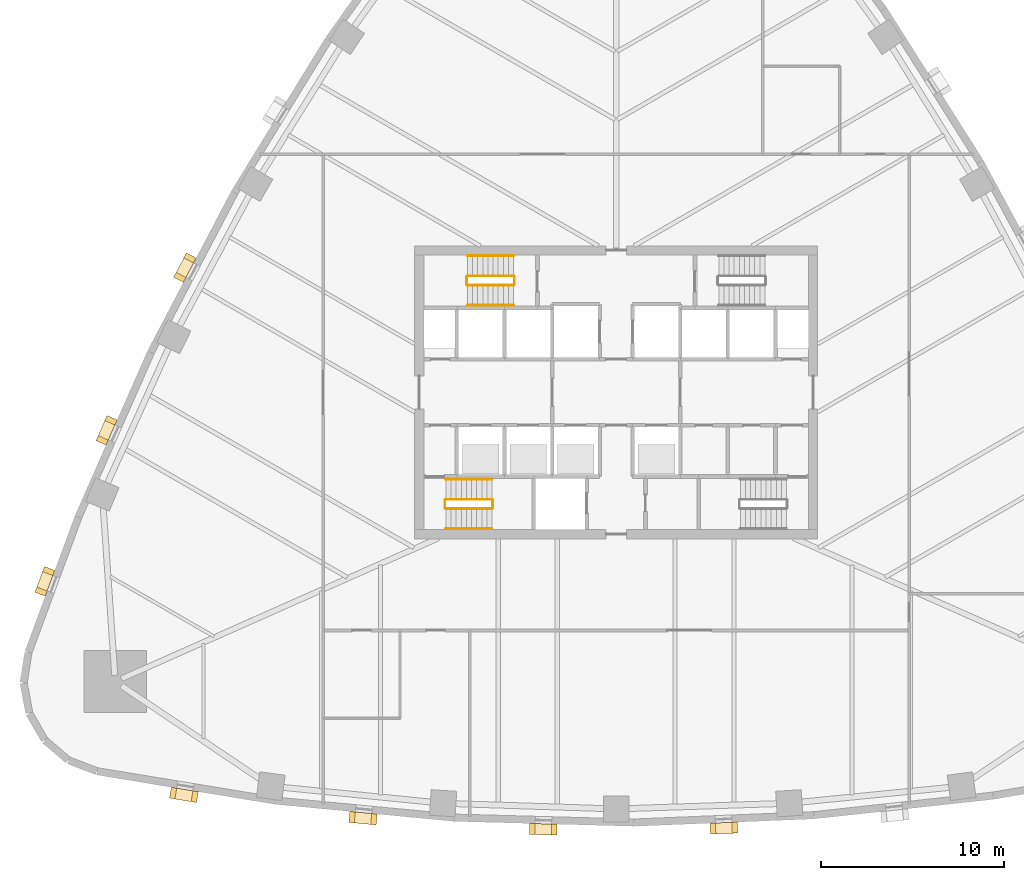
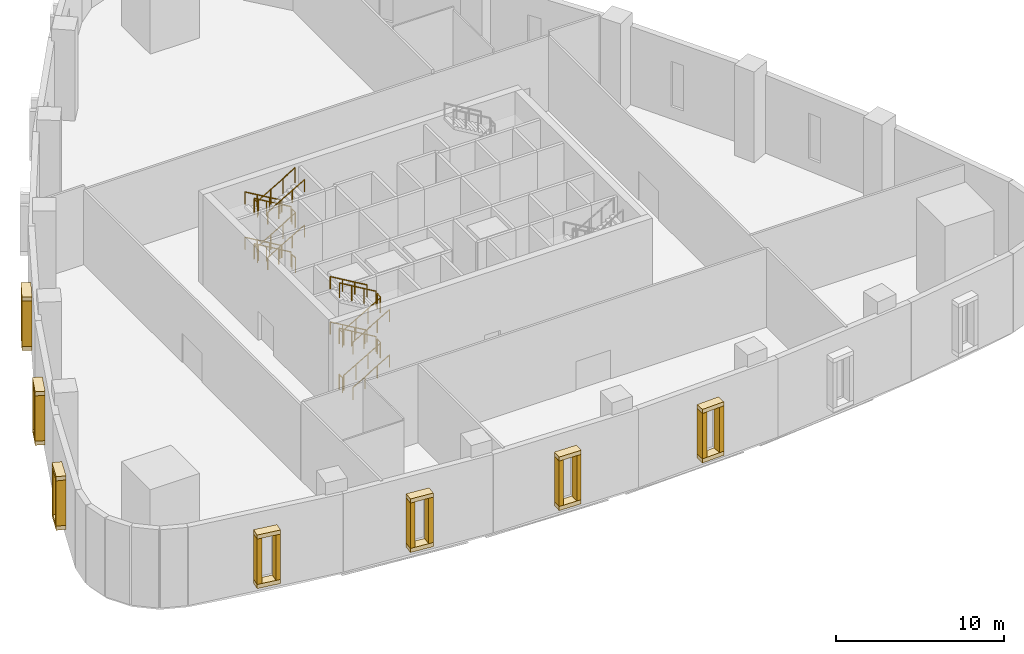
# One storey, part 8 of 11: 28 coverings, 24 railings.
"""IFC4 building model written with IfcOpenShell, lengths in metres."""

from ifc_helpers import new_model, si_unit, direction, frame, origin, origin_2d, place, context, subcontext, project, spatial, rectangle, circle, extrude, material, layer, layer_set, type_object, element, save


model = new_model("IFC4")

# Units and contexts
model_context = context("Model", 3, precision=1e-05, world=origin(), true_north=direction((0.0, 1.0)))
body_context = subcontext(model_context, "Body", "Model", "MODEL_VIEW")
ifc_project = project(units=[si_unit("LENGTHUNIT", "METRE"), si_unit("AREAUNIT", "SQUARE_METRE"), si_unit("VOLUMEUNIT", "CUBIC_METRE"), si_unit("PLANEANGLEUNIT", "RADIAN"), si_unit("MASSUNIT", "GRAM", prefix="KILO")], contexts=[model_context])

# Site, building, storey
site_placement = place(None, origin())
site = spatial("IfcSite", under=ifc_project, at=site_placement, CompositionType="ELEMENT")
building_placement = place(site_placement, origin())
building = spatial("IfcBuilding", under=site, at=building_placement, Name="Sierra Prisma Convention Tower", CompositionType="ELEMENT")
storey_placement = place(building_placement, frame((0.0, 0.0, 22.199951171875)))
storey = spatial("IfcBuildingStorey", under=building, at=storey_placement, Name="L03", CompositionType="ELEMENT", Elevation=22.199951171875)

# Railings
ifc_material_1 = material(Name="Stainless steel", Category="steel")
railing_type_1 = type_object("IfcRailingType", Name="Exit stair handrail", PredefinedType="HANDRAIL", material=ifc_material_1)
railing_1_placement = place(storey_placement, frame((-9.300048828125, -7.449951171875, 0.1650390625)))
element("IfcRailing", 1, at=railing_1_placement, inside=storey, type_object=railing_type_1, Name="L03 S1 stair handrail 1", PredefinedType="HANDRAIL", context=body_context, shape_type="SweptSolid", body=[
    extrude(circle(Radius=0.02392578125, at=origin_2d()), frame((0.0, 0.0, 0.8759765625), z_axis=(0.86152411907, 0.0, 0.507716645641), x_axis=(0.0, 1.0, 0.0)), (0.0, 0.0, 1.0), 2.925048828125),
    extrude(circle(Radius=0.02099609375, at=origin_2d()), origin(), (0.0, 0.0, 1.0), 0.851806640625),
    extrude(circle(Radius=0.02099609375, at=origin_2d()), frame((0.840087890625, 0.0, 0.4951171875)), (0.0, 0.0, 1.0), 0.851806640625),
    extrude(circle(Radius=0.02099609375, at=origin_2d()), frame((1.679931640625, 0.0, 0.989990234375)), (0.0, 0.0, 1.0), 0.851806640625),
    extrude(circle(Radius=0.02099609375, at=origin_2d()), frame((2.52001953125, 0.0, 1.485107421875)), (0.0, 0.0, 1.0), 0.851806640625),
])
railing_2_placement = place(storey_placement, frame((-6.780029296875, -4.75, 1.81494140625)))
element("IfcRailing", 2, at=railing_2_placement, inside=storey, type_object=railing_type_1, Name="L03 S1 stair handrail 2", PredefinedType="HANDRAIL", context=body_context, shape_type="SweptSolid", body=[
    extrude(circle(Radius=0.02392578125, at=origin_2d()), frame((0.0, 0.0, 0.8759765625), z_axis=(-0.86152411907, 0.0, 0.507716645641), x_axis=(0.0, -1.0, 0.0)), (0.0, 0.0, 1.0), 2.925048828125),
    extrude(circle(Radius=0.02099609375, at=origin_2d()), origin(), (0.0, 0.0, 1.0), 0.851806640625),
    extrude(circle(Radius=0.02099609375, at=origin_2d()), frame((-0.840087890625, 0.0, 0.4951171875)), (0.0, 0.0, 1.0), 0.851806640625),
    extrude(circle(Radius=0.02099609375, at=origin_2d()), frame((-1.679931640625, 0.0, 0.989990234375)), (0.0, 0.0, 1.0), 0.851806640625),
    extrude(circle(Radius=0.02099609375, at=origin_2d()), frame((-2.52001953125, 0.0, 1.485107421875)), (0.0, 0.0, 1.0), 0.851806640625),
])
railing_3_placement = place(storey_placement, frame((-9.300048828125, -7.449951171875, 3.465087890625)))
element("IfcRailing", 3, at=railing_3_placement, inside=storey, type_object=railing_type_1, Name="L03 S1 stair handrail 3", PredefinedType="HANDRAIL", context=body_context, shape_type="SweptSolid", body=[
    extrude(circle(Radius=0.02392578125, at=origin_2d()), frame((0.0, 0.0, 0.8759765625), z_axis=(0.861560626758, 0.0, 0.507654692109), x_axis=(0.0, 1.0, 0.0)), (0.0, 0.0, 1.0), 2.925048828125),
    extrude(circle(Radius=0.02099609375, at=origin_2d()), origin(), (0.0, 0.0, 1.0), 0.851806640625),
    extrude(circle(Radius=0.02099609375, at=origin_2d()), frame((0.840087890625, 0.0, 0.494873046875)), (0.0, 0.0, 1.0), 0.851806640625),
    extrude(circle(Radius=0.02099609375, at=origin_2d()), frame((1.679931640625, 0.0, 0.989990234375)), (0.0, 0.0, 1.0), 0.851806640625),
    extrude(circle(Radius=0.02099609375, at=origin_2d()), frame((2.52001953125, 0.0, 1.48486328125)), (0.0, 0.0, 1.0), 0.851806640625),
])
for number, where, name in (
    (4, (-6.780029296875, -4.75, 5.114990234375), "L03 S1 stair handrail 4"),
    (5, (-5.60009765625, 7.449951171875, 0.1650390625), "L03 S3 stair handrail 1"),
):
    element("IfcRailing", number, at=place(storey_placement, frame(where)), inside=storey, type_object=railing_type_1, Name=name, PredefinedType="HANDRAIL", context=body_context, shape_type="SweptSolid", body=[
        extrude(circle(Radius=0.02392578125, at=origin_2d()), frame((0.0, 0.0, 0.8759765625), z_axis=(-0.86152411907, 0.0, 0.507716645641), x_axis=(0.0, -1.0, 0.0)), (0.0, 0.0, 1.0), 2.925048828125),
        extrude(circle(Radius=0.02099609375, at=origin_2d()), origin(), (0.0, 0.0, 1.0), 0.851806640625),
        extrude(circle(Radius=0.02099609375, at=origin_2d()), frame((-0.840087890625, 0.0, 0.4951171875)), (0.0, 0.0, 1.0), 0.851806640625),
        extrude(circle(Radius=0.02099609375, at=origin_2d()), frame((-1.679931640625, 0.0, 0.989990234375)), (0.0, 0.0, 1.0), 0.851806640625),
        extrude(circle(Radius=0.02099609375, at=origin_2d()), frame((-2.52001953125, 0.0, 1.485107421875)), (0.0, 0.0, 1.0), 0.851806640625),
    ])
railing_4_placement = place(storey_placement, frame((-8.1201171875, 4.75, 1.81494140625)))
element("IfcRailing", 6, at=railing_4_placement, inside=storey, type_object=railing_type_1, Name="L03 S3 stair handrail 2", PredefinedType="HANDRAIL", context=body_context, shape_type="SweptSolid", body=[
    extrude(circle(Radius=0.02392578125, at=origin_2d()), frame((0.0, 0.0, 0.8759765625), z_axis=(0.86152411907, 0.0, 0.507716645641), x_axis=(0.0, 1.0, 0.0)), (0.0, 0.0, 1.0), 2.925048828125),
    extrude(circle(Radius=0.02099609375, at=origin_2d()), origin(), (0.0, 0.0, 1.0), 0.851806640625),
    extrude(circle(Radius=0.02099609375, at=origin_2d()), frame((0.840087890625, 0.0, 0.4951171875)), (0.0, 0.0, 1.0), 0.851806640625),
    extrude(circle(Radius=0.02099609375, at=origin_2d()), frame((1.679931640625, 0.0, 0.989990234375)), (0.0, 0.0, 1.0), 0.851806640625),
    extrude(circle(Radius=0.02099609375, at=origin_2d()), frame((2.52001953125, 0.0, 1.485107421875)), (0.0, 0.0, 1.0), 0.851806640625),
])
railing_5_placement = place(storey_placement, frame((-5.60009765625, 7.449951171875, 3.465087890625)))
element("IfcRailing", 7, at=railing_5_placement, inside=storey, type_object=railing_type_1, Name="L03 S3 stair handrail 3", PredefinedType="HANDRAIL", context=body_context, shape_type="SweptSolid", body=[
    extrude(circle(Radius=0.02392578125, at=origin_2d()), frame((0.0, 0.0, 0.8759765625), z_axis=(-0.861560626758, 0.0, 0.507654692109), x_axis=(0.0, -1.0, 0.0)), (0.0, 0.0, 1.0), 2.925048828125),
    extrude(circle(Radius=0.02099609375, at=origin_2d()), origin(), (0.0, 0.0, 1.0), 0.851806640625),
    extrude(circle(Radius=0.02099609375, at=origin_2d()), frame((-0.840087890625, 0.0, 0.494873046875)), (0.0, 0.0, 1.0), 0.851806640625),
    extrude(circle(Radius=0.02099609375, at=origin_2d()), frame((-1.679931640625, 0.0, 0.989990234375)), (0.0, 0.0, 1.0), 0.851806640625),
    extrude(circle(Radius=0.02099609375, at=origin_2d()), frame((-2.52001953125, 0.0, 1.48486328125)), (0.0, 0.0, 1.0), 0.851806640625),
])
railing_6_placement = place(storey_placement, frame((-8.1201171875, 4.75, 5.114990234375)))
element("IfcRailing", 8, at=railing_6_placement, inside=storey, type_object=railing_type_1, Name="L03 S3 stair handrail 4", PredefinedType="HANDRAIL", context=body_context, shape_type="SweptSolid", body=[
    extrude(circle(Radius=0.02392578125, at=origin_2d()), frame((0.0, 0.0, 0.8759765625), z_axis=(0.86152411907, 0.0, 0.507716645641), x_axis=(0.0, 1.0, 0.0)), (0.0, 0.0, 1.0), 2.925048828125),
    extrude(circle(Radius=0.02099609375, at=origin_2d()), origin(), (0.0, 0.0, 1.0), 0.851806640625),
    extrude(circle(Radius=0.02099609375, at=origin_2d()), frame((0.840087890625, 0.0, 0.4951171875)), (0.0, 0.0, 1.0), 0.851806640625),
    extrude(circle(Radius=0.02099609375, at=origin_2d()), frame((1.679931640625, 0.0, 0.989990234375)), (0.0, 0.0, 1.0), 0.851806640625),
    extrude(circle(Radius=0.02099609375, at=origin_2d()), frame((2.52001953125, 0.0, 1.485107421875)), (0.0, 0.0, 1.0), 0.851806640625),
])

# Coverings
ifc_material_2 = material(Name="Lime plaster, terracotta pigment", Category="masonry")
ifc_layer = layer(ifc_material_2, 0.300048828125)
ifc_layer_set = layer_set([ifc_layer], Name="Plaster reveal frame")
covering_type = type_object("IfcCoveringType", Name="Plaster reveal frame", PredefinedType="CLADDING", material=ifc_layer_set)
for number, where, z_axis, x_axis, name in (
    (9, (-23.826904296875, 6.27587890625, 0.89990234375), (0.0, 0.0, 1.0), (0.464253182401, 0.885702536199, 0.0), "Window reveal jamb"),
    (10, (-23.27001953125, 7.3388671875, 0.89990234375), (0.0, 0.0, 1.0), (0.464253182401, 0.885702536199, 0.0), "Window reveal jamb"),
):
    element("IfcCovering", number, at=place(storey_placement, frame(where, z_axis=z_axis, x_axis=x_axis)), inside=storey, type_object=covering_type, Name=name, PredefinedType="CLADDING", context=body_context, shape_type="SweptSolid", body=[
        extrude(rectangle(XDim=0.300048828125, YDim=0.60009765625, at=origin_2d()), origin(), (0.0, 0.0, 1.0), 3.300048828125),
    ])
for number, where, z_axis, x_axis, name in (
    (11, (-23.54833984375, 6.8076171875, 4.2001953125), (0.0, 0.0, 1.0), (0.464253182401, 0.885702536199, 0.0), "Window reveal head"),
    (12, (-23.54833984375, 6.8076171875, 0.60009765625), (0.0, 0.0, 1.0), (0.464253182401, 0.885702536199, 0.0), "Window reveal sill"),
):
    element("IfcCovering", number, at=place(storey_placement, frame(where, z_axis=z_axis, x_axis=x_axis)), inside=storey, type_object=covering_type, Name=name, PredefinedType="CLADDING", context=body_context, shape_type="SweptSolid", body=[
        extrude(rectangle(XDim=1.5, YDim=0.60009765625, at=origin_2d()), origin(), (0.0, 0.0, 1.0), 0.300048828125),
    ])
for number, where, z_axis, x_axis, name in (
    (13, (-28.07080078125, -2.624755859375, 0.89990234375), (0.0, 0.0, 1.0), (0.402986304039, 0.915206008917, 0.0), "Window reveal jamb"),
    (14, (-27.587158203125, -1.526611328125, 0.89990234375), (0.0, 0.0, 1.0), (0.402986304039, 0.915206008917, 0.0), "Window reveal jamb"),
):
    element("IfcCovering", number, at=place(storey_placement, frame(where, z_axis=z_axis, x_axis=x_axis)), inside=storey, type_object=covering_type, Name=name, PredefinedType="CLADDING", context=body_context, shape_type="SweptSolid", body=[
        extrude(rectangle(XDim=0.300048828125, YDim=0.60009765625, at=origin_2d()), origin(), (0.0, 0.0, 1.0), 3.300048828125),
    ])
for number, where, z_axis, x_axis, name in (
    (15, (-27.8291015625, -2.07568359375, 4.2001953125), (0.0, 0.0, 1.0), (0.402986304039, 0.915206008917, 0.0), "Window reveal head"),
    (16, (-27.8291015625, -2.07568359375, 0.60009765625), (0.0, 0.0, 1.0), (0.402986304039, 0.915206008917, 0.0), "Window reveal sill"),
):
    element("IfcCovering", number, at=place(storey_placement, frame(where, z_axis=z_axis, x_axis=x_axis)), inside=storey, type_object=covering_type, Name=name, PredefinedType="CLADDING", context=body_context, shape_type="SweptSolid", body=[
        extrude(rectangle(XDim=1.5, YDim=0.60009765625, at=origin_2d()), origin(), (0.0, 0.0, 1.0), 0.300048828125),
    ])
for number, where, z_axis, x_axis, name in (
    (17, (-31.403564453125, -10.883544921875, 0.89990234375), (0.0, 0.0, 1.0), (0.346215302346, 0.938155085485, 0.0), "Window reveal jamb"),
    (18, (-30.988037109375, -9.7578125, 0.89990234375), (0.0, 0.0, 1.0), (0.346215302346, 0.938155085485, 0.0), "Window reveal jamb"),
):
    element("IfcCovering", number, at=place(storey_placement, frame(where, z_axis=z_axis, x_axis=x_axis)), inside=storey, type_object=covering_type, Name=name, PredefinedType="CLADDING", context=body_context, shape_type="SweptSolid", body=[
        extrude(rectangle(XDim=0.300048828125, YDim=0.60009765625, at=origin_2d()), origin(), (0.0, 0.0, 1.0), 3.300048828125),
    ])
for number, where, z_axis, x_axis, name in (
    (19, (-31.19580078125, -10.32080078125, 4.2001953125), (0.0, 0.0, 1.0), (0.346215302346, 0.938155085485, 0.0), "Window reveal head"),
    (20, (-31.19580078125, -10.32080078125, 0.60009765625), (0.0, 0.0, 1.0), (0.346215302346, 0.938155085485, 0.0), "Window reveal sill"),
):
    element("IfcCovering", number, at=place(storey_placement, frame(where, z_axis=z_axis, x_axis=x_axis)), inside=storey, type_object=covering_type, Name=name, PredefinedType="CLADDING", context=body_context, shape_type="SweptSolid", body=[
        extrude(rectangle(XDim=1.5, YDim=0.60009765625, at=origin_2d()), origin(), (0.0, 0.0, 1.0), 0.300048828125),
    ])
for number, where, z_axis, x_axis, name in (
    (21, (-23.010009765625, -22.080078125, 0.89990234375), (0.0, 0.0, 1.0), (-0.986701835398, 0.162540727275, 0.0), "Window reveal jamb"),
    (22, (-24.194091796875, -21.885009765625, 0.89990234375), (0.0, 0.0, 1.0), (-0.986701835398, 0.162540727275, 0.0), "Window reveal jamb"),
):
    element("IfcCovering", number, at=place(storey_placement, frame(where, z_axis=z_axis, x_axis=x_axis)), inside=storey, type_object=covering_type, Name=name, PredefinedType="CLADDING", context=body_context, shape_type="SweptSolid", body=[
        extrude(rectangle(XDim=0.300048828125, YDim=0.60009765625, at=origin_2d()), origin(), (0.0, 0.0, 1.0), 3.300048828125),
    ])
for number, where, z_axis, x_axis, name in (
    (23, (-23.60205078125, -21.982666015625, 4.2001953125), (0.0, 0.0, 1.0), (-0.986701835398, 0.162540727275, 0.0), "Window reveal head"),
    (24, (-23.60205078125, -21.982666015625, 0.60009765625), (0.0, 0.0, 1.0), (-0.986701835398, 0.162540727275, 0.0), "Window reveal sill"),
):
    element("IfcCovering", number, at=place(storey_placement, frame(where, z_axis=z_axis, x_axis=x_axis)), inside=storey, type_object=covering_type, Name=name, PredefinedType="CLADDING", context=body_context, shape_type="SweptSolid", body=[
        extrude(rectangle(XDim=1.5, YDim=0.60009765625, at=origin_2d()), origin(), (0.0, 0.0, 1.0), 0.300048828125),
    ])
for number, where, z_axis, x_axis, name in (
    (25, (-13.2265625, -23.31298828125, 0.89990234375), (0.0, 0.0, 1.0), (-0.99547017287, 0.095074365238, 0.0), "Window reveal jamb"),
    (26, (-14.421142578125, -23.198974609375, 0.89990234375), (0.0, 0.0, 1.0), (-0.99547017287, 0.095074365238, 0.0), "Window reveal jamb"),
):
    element("IfcCovering", number, at=place(storey_placement, frame(where, z_axis=z_axis, x_axis=x_axis)), inside=storey, type_object=covering_type, Name=name, PredefinedType="CLADDING", context=body_context, shape_type="SweptSolid", body=[
        extrude(rectangle(XDim=0.300048828125, YDim=0.60009765625, at=origin_2d()), origin(), (0.0, 0.0, 1.0), 3.300048828125),
    ])
for number, where, z_axis, x_axis, name in (
    (27, (-13.82373046875, -23.256103515625, 4.2001953125), (0.0, 0.0, 1.0), (-0.99547017287, 0.095074365238, 0.0), "Window reveal head"),
    (28, (-13.82373046875, -23.256103515625, 0.60009765625), (0.0, 0.0, 1.0), (-0.99547017287, 0.095074365238, 0.0), "Window reveal sill"),
):
    element("IfcCovering", number, at=place(storey_placement, frame(where, z_axis=z_axis, x_axis=x_axis)), inside=storey, type_object=covering_type, Name=name, PredefinedType="CLADDING", context=body_context, shape_type="SweptSolid", body=[
        extrude(rectangle(XDim=1.5, YDim=0.60009765625, at=origin_2d()), origin(), (0.0, 0.0, 1.0), 0.300048828125),
    ])
for number, where, z_axis, x_axis, name in (
    (29, (-3.382080078125, -23.878173828125, 0.89990234375), (0.0, 0.0, 1.0), (-0.999629934375, 0.027202836272, 0.0), "Window reveal jamb"),
    (30, (-4.58154296875, -23.845458984375, 0.89990234375), (0.0, 0.0, 1.0), (-0.999629934375, 0.027202836272, 0.0), "Window reveal jamb"),
):
    element("IfcCovering", number, at=place(storey_placement, frame(where, z_axis=z_axis, x_axis=x_axis)), inside=storey, type_object=covering_type, Name=name, PredefinedType="CLADDING", context=body_context, shape_type="SweptSolid", body=[
        extrude(rectangle(XDim=0.300048828125, YDim=0.60009765625, at=origin_2d()), origin(), (0.0, 0.0, 1.0), 3.300048828125),
    ])
for number, where, z_axis, x_axis, name in (
    (31, (-3.981689453125, -23.86181640625, 4.2001953125), (0.0, 0.0, 1.0), (-0.999629934375, 0.027202836272, 0.0), "Window reveal head"),
    (32, (-3.981689453125, -23.86181640625, 0.60009765625), (0.0, 0.0, 1.0), (-0.999629934375, 0.027202836272, 0.0), "Window reveal sill"),
):
    element("IfcCovering", number, at=place(storey_placement, frame(where, z_axis=z_axis, x_axis=x_axis)), inside=storey, type_object=covering_type, Name=name, PredefinedType="CLADDING", context=body_context, shape_type="SweptSolid", body=[
        extrude(rectangle(XDim=1.5, YDim=0.60009765625, at=origin_2d()), origin(), (0.0, 0.0, 1.0), 0.300048828125),
    ])
for number, where, z_axis, x_axis, name in (
    (33, (6.478271484375, -23.772705078125, 0.89990234375), (0.0, 0.0, 1.0), (-0.999167487746, -0.040796218352, 0.0), "Window reveal jamb"),
    (34, (5.279296875, -23.82177734375, 0.89990234375), (0.0, 0.0, 1.0), (-0.999167487746, -0.040796218352, 0.0), "Window reveal jamb"),
):
    element("IfcCovering", number, at=place(storey_placement, frame(where, z_axis=z_axis, x_axis=x_axis)), inside=storey, type_object=covering_type, Name=name, PredefinedType="CLADDING", context=body_context, shape_type="SweptSolid", body=[
        extrude(rectangle(XDim=0.300048828125, YDim=0.60009765625, at=origin_2d()), origin(), (0.0, 0.0, 1.0), 3.300048828125),
    ])
for number, where, z_axis, x_axis, name in (
    (35, (5.87890625, -23.79736328125, 4.2001953125), (0.0, 0.0, 1.0), (-0.999167487746, -0.040796218352, 0.0), "Window reveal head"),
    (36, (5.87890625, -23.79736328125, 0.60009765625), (0.0, 0.0, 1.0), (-0.999167487746, -0.040796218352, 0.0), "Window reveal sill"),
):
    element("IfcCovering", number, at=place(storey_placement, frame(where, z_axis=z_axis, x_axis=x_axis)), inside=storey, type_object=covering_type, Name=name, PredefinedType="CLADDING", context=body_context, shape_type="SweptSolid", body=[
        extrude(rectangle(XDim=1.5, YDim=0.60009765625, at=origin_2d()), origin(), (0.0, 0.0, 1.0), 0.300048828125),
    ])

# Railings
ifc_material_3 = material(Name="Stainless steel", Category="steel")
railing_type_2 = type_object("IfcRailingType", Name="Stair guard 1100", PredefinedType="GUARDRAIL", material=ifc_material_3)
railing_7_placement = place(storey_placement, frame((-9.300048828125, -6.35009765625, 0.1650390625)))
element("IfcRailing", 37, at=railing_7_placement, inside=storey, type_object=railing_type_2, Name="L03 S1 stair guard 1", PredefinedType="GUARDRAIL", context=body_context, shape_type="SweptSolid", body=[
    extrude(circle(Radius=0.02392578125, at=origin_2d()), frame((0.0, 0.0, 1.076171875), z_axis=(0.86152411907, 0.0, 0.507716645641), x_axis=(0.0, 1.0, 0.0)), (0.0, 0.0, 1.0), 2.925048828125),
    extrude(circle(Radius=0.02099609375, at=origin_2d()), origin(), (0.0, 0.0, 1.0), 1.052001953125),
    extrude(circle(Radius=0.02099609375, at=origin_2d()), frame((0.840087890625, 0.0, 0.4951171875)), (0.0, 0.0, 1.0), 1.052001953125),
    extrude(circle(Radius=0.02099609375, at=origin_2d()), frame((1.679931640625, 0.0, 0.989990234375)), (0.0, 0.0, 1.0), 1.052001953125),
    extrude(circle(Radius=0.02099609375, at=origin_2d()), frame((2.52001953125, 0.0, 1.485107421875)), (0.0, 0.0, 1.0), 1.052001953125),
])
railing_8_placement = place(storey_placement, frame((-6.72998046875, -6.300048828125, 1.650146484375)))
element("IfcRailing", 38, at=railing_8_placement, inside=storey, type_object=railing_type_2, Name="L03 S1 stair guard 2", PredefinedType="GUARDRAIL", context=body_context, shape_type="SweptSolid", body=[
    extrude(circle(Radius=0.02392578125, at=origin_2d()), frame((0.0, 0.0, 1.076171875), z_axis=(0.0, 1.0, 0.0), x_axis=(-1.0, 0.0, 0.0)), (0.0, 0.0, 1.0), 0.400146484375),
    extrude(circle(Radius=0.02099609375, at=origin_2d()), origin(), (0.0, 0.0, 1.0), 1.052001953125),
    extrude(circle(Radius=0.02099609375, at=origin_2d()), frame((0.0, 0.400146484375, 0.0)), (0.0, 0.0, 1.0), 1.052001953125),
])
railing_9_placement = place(storey_placement, frame((-6.780029296875, -5.85009765625, 1.81494140625)))
element("IfcRailing", 39, at=railing_9_placement, inside=storey, type_object=railing_type_2, Name="L03 S1 stair guard 3", PredefinedType="GUARDRAIL", context=body_context, shape_type="SweptSolid", body=[
    extrude(circle(Radius=0.02392578125, at=origin_2d()), frame((0.0, 0.0, 1.076171875), z_axis=(-0.86152411907, 0.0, 0.507716645641), x_axis=(0.0, -1.0, 0.0)), (0.0, 0.0, 1.0), 2.925048828125),
    extrude(circle(Radius=0.02099609375, at=origin_2d()), origin(), (0.0, 0.0, 1.0), 1.052001953125),
    extrude(circle(Radius=0.02099609375, at=origin_2d()), frame((-0.840087890625, 0.0, 0.4951171875)), (0.0, 0.0, 1.0), 1.052001953125),
    extrude(circle(Radius=0.02099609375, at=origin_2d()), frame((-1.679931640625, 0.0, 0.989990234375)), (0.0, 0.0, 1.0), 1.052001953125),
    extrude(circle(Radius=0.02099609375, at=origin_2d()), frame((-2.52001953125, 0.0, 1.485107421875)), (0.0, 0.0, 1.0), 1.052001953125),
])
railing_10_placement = place(storey_placement, frame((-9.35009765625, -6.300048828125, 3.300048828125)))
element("IfcRailing", 40, at=railing_10_placement, inside=storey, type_object=railing_type_2, Name="L03 S1 stair guard 4", PredefinedType="GUARDRAIL", context=body_context, shape_type="SweptSolid", body=[
    extrude(circle(Radius=0.02392578125, at=origin_2d()), frame((0.0, 0.0, 1.076171875), z_axis=(0.0, 1.0, 0.0), x_axis=(-1.0, 0.0, 0.0)), (0.0, 0.0, 1.0), 0.400146484375),
    extrude(circle(Radius=0.02099609375, at=origin_2d()), origin(), (0.0, 0.0, 1.0), 1.052001953125),
    extrude(circle(Radius=0.02099609375, at=origin_2d()), frame((0.0, 0.400146484375, 0.0)), (0.0, 0.0, 1.0), 1.052001953125),
])
railing_11_placement = place(storey_placement, frame((-9.300048828125, -6.35009765625, 3.465087890625)))
element("IfcRailing", 41, at=railing_11_placement, inside=storey, type_object=railing_type_2, Name="L03 S1 stair guard 5", PredefinedType="GUARDRAIL", context=body_context, shape_type="SweptSolid", body=[
    extrude(circle(Radius=0.02392578125, at=origin_2d()), frame((0.0, 0.0, 1.076171875), z_axis=(0.861560626758, 0.0, 0.507654692109), x_axis=(0.0, 1.0, 0.0)), (0.0, 0.0, 1.0), 2.925048828125),
    extrude(circle(Radius=0.02099609375, at=origin_2d()), origin(), (0.0, 0.0, 1.0), 1.052001953125),
    extrude(circle(Radius=0.02099609375, at=origin_2d()), frame((0.840087890625, 0.0, 0.494873046875)), (0.0, 0.0, 1.0), 1.052001953125),
    extrude(circle(Radius=0.02099609375, at=origin_2d()), frame((1.679931640625, 0.0, 0.989990234375)), (0.0, 0.0, 1.0), 1.052001953125),
    extrude(circle(Radius=0.02099609375, at=origin_2d()), frame((2.52001953125, 0.0, 1.48486328125)), (0.0, 0.0, 1.0), 1.052001953125),
])
railing_12_placement = place(storey_placement, frame((-6.72998046875, -6.300048828125, 4.949951171875)))
element("IfcRailing", 42, at=railing_12_placement, inside=storey, type_object=railing_type_2, Name="L03 S1 stair guard 6", PredefinedType="GUARDRAIL", context=body_context, shape_type="SweptSolid", body=[
    extrude(circle(Radius=0.02392578125, at=origin_2d()), frame((0.0, 0.0, 1.076171875), z_axis=(0.0, 1.0, 0.0), x_axis=(-1.0, 0.0, 0.0)), (0.0, 0.0, 1.0), 0.400146484375),
    extrude(circle(Radius=0.02099609375, at=origin_2d()), origin(), (0.0, 0.0, 1.0), 1.052001953125),
    extrude(circle(Radius=0.02099609375, at=origin_2d()), frame((0.0, 0.400146484375, 0.0)), (0.0, 0.0, 1.0), 1.052001953125),
])
railing_13_placement = place(storey_placement, frame((-6.780029296875, -5.85009765625, 5.114990234375)))
element("IfcRailing", 43, at=railing_13_placement, inside=storey, type_object=railing_type_2, Name="L03 S1 stair guard 7", PredefinedType="GUARDRAIL", context=body_context, shape_type="SweptSolid", body=[
    extrude(circle(Radius=0.02392578125, at=origin_2d()), frame((0.0, 0.0, 1.076171875), z_axis=(-0.86152411907, 0.0, 0.507716645641), x_axis=(0.0, -1.0, 0.0)), (0.0, 0.0, 1.0), 2.925048828125),
    extrude(circle(Radius=0.02099609375, at=origin_2d()), origin(), (0.0, 0.0, 1.0), 1.052001953125),
    extrude(circle(Radius=0.02099609375, at=origin_2d()), frame((-0.840087890625, 0.0, 0.4951171875)), (0.0, 0.0, 1.0), 1.052001953125),
    extrude(circle(Radius=0.02099609375, at=origin_2d()), frame((-1.679931640625, 0.0, 0.989990234375)), (0.0, 0.0, 1.0), 1.052001953125),
    extrude(circle(Radius=0.02099609375, at=origin_2d()), frame((-2.52001953125, 0.0, 1.485107421875)), (0.0, 0.0, 1.0), 1.052001953125),
])
railing_14_placement = place(storey_placement, frame((-9.35009765625, -6.300048828125, 0.0)))
element("IfcRailing", 44, at=railing_14_placement, inside=storey, type_object=railing_type_2, Name="L03 S1 stair guard 8", PredefinedType="GUARDRAIL", context=body_context, shape_type="SweptSolid", body=[
    extrude(circle(Radius=0.02392578125, at=origin_2d()), frame((0.0, 0.0, 1.076171875), z_axis=(0.0, 1.0, 0.0), x_axis=(-1.0, 0.0, 0.0)), (0.0, 0.0, 1.0), 0.400146484375),
    extrude(circle(Radius=0.02099609375, at=origin_2d()), origin(), (0.0, 0.0, 1.0), 1.052001953125),
    extrude(circle(Radius=0.02099609375, at=origin_2d()), frame((0.0, 0.400146484375, 0.0)), (0.0, 0.0, 1.0), 1.052001953125),
])
railing_15_placement = place(storey_placement, frame((-5.60009765625, 6.35009765625, 0.1650390625)))
element("IfcRailing", 45, at=railing_15_placement, inside=storey, type_object=railing_type_2, Name="L03 S3 stair guard 1", PredefinedType="GUARDRAIL", context=body_context, shape_type="SweptSolid", body=[
    extrude(circle(Radius=0.02392578125, at=origin_2d()), frame((0.0, 0.0, 1.076171875), z_axis=(-0.86152411907, 0.0, 0.507716645641), x_axis=(0.0, -1.0, 0.0)), (0.0, 0.0, 1.0), 2.925048828125),
    extrude(circle(Radius=0.02099609375, at=origin_2d()), origin(), (0.0, 0.0, 1.0), 1.052001953125),
    extrude(circle(Radius=0.02099609375, at=origin_2d()), frame((-0.840087890625, 0.0, 0.4951171875)), (0.0, 0.0, 1.0), 1.052001953125),
    extrude(circle(Radius=0.02099609375, at=origin_2d()), frame((-1.679931640625, 0.0, 0.989990234375)), (0.0, 0.0, 1.0), 1.052001953125),
    extrude(circle(Radius=0.02099609375, at=origin_2d()), frame((-2.52001953125, 0.0, 1.485107421875)), (0.0, 0.0, 1.0), 1.052001953125),
])
railing_16_placement = place(storey_placement, frame((-8.169921875, 6.300048828125, 1.650146484375)))
element("IfcRailing", 46, at=railing_16_placement, inside=storey, type_object=railing_type_2, Name="L03 S3 stair guard 2", PredefinedType="GUARDRAIL", context=body_context, shape_type="SweptSolid", body=[
    extrude(circle(Radius=0.02392578125, at=origin_2d()), frame((0.0, 0.0, 1.076171875), z_axis=(0.0, -1.0, 0.0), x_axis=(1.0, 0.0, 0.0)), (0.0, 0.0, 1.0), 0.400146484375),
    extrude(circle(Radius=0.02099609375, at=origin_2d()), origin(), (0.0, 0.0, 1.0), 1.052001953125),
    extrude(circle(Radius=0.02099609375, at=origin_2d()), frame((0.0, -0.400146484375, 0.0)), (0.0, 0.0, 1.0), 1.052001953125),
])
railing_17_placement = place(storey_placement, frame((-8.1201171875, 5.85009765625, 1.81494140625)))
element("IfcRailing", 47, at=railing_17_placement, inside=storey, type_object=railing_type_2, Name="L03 S3 stair guard 3", PredefinedType="GUARDRAIL", context=body_context, shape_type="SweptSolid", body=[
    extrude(circle(Radius=0.02392578125, at=origin_2d()), frame((0.0, 0.0, 1.076171875), z_axis=(0.86152411907, 0.0, 0.507716645641), x_axis=(0.0, 1.0, 0.0)), (0.0, 0.0, 1.0), 2.925048828125),
    extrude(circle(Radius=0.02099609375, at=origin_2d()), origin(), (0.0, 0.0, 1.0), 1.052001953125),
    extrude(circle(Radius=0.02099609375, at=origin_2d()), frame((0.840087890625, 0.0, 0.4951171875)), (0.0, 0.0, 1.0), 1.052001953125),
    extrude(circle(Radius=0.02099609375, at=origin_2d()), frame((1.679931640625, 0.0, 0.989990234375)), (0.0, 0.0, 1.0), 1.052001953125),
    extrude(circle(Radius=0.02099609375, at=origin_2d()), frame((2.52001953125, 0.0, 1.485107421875)), (0.0, 0.0, 1.0), 1.052001953125),
])
railing_18_placement = place(storey_placement, frame((-5.550048828125, 6.300048828125, 3.300048828125)))
element("IfcRailing", 48, at=railing_18_placement, inside=storey, type_object=railing_type_2, Name="L03 S3 stair guard 4", PredefinedType="GUARDRAIL", context=body_context, shape_type="SweptSolid", body=[
    extrude(circle(Radius=0.02392578125, at=origin_2d()), frame((0.0, 0.0, 1.076171875), z_axis=(0.0, -1.0, 0.0), x_axis=(1.0, 0.0, 0.0)), (0.0, 0.0, 1.0), 0.400146484375),
    extrude(circle(Radius=0.02099609375, at=origin_2d()), origin(), (0.0, 0.0, 1.0), 1.052001953125),
    extrude(circle(Radius=0.02099609375, at=origin_2d()), frame((0.0, -0.400146484375, 0.0)), (0.0, 0.0, 1.0), 1.052001953125),
])
railing_19_placement = place(storey_placement, frame((-5.60009765625, 6.35009765625, 3.465087890625)))
element("IfcRailing", 49, at=railing_19_placement, inside=storey, type_object=railing_type_2, Name="L03 S3 stair guard 5", PredefinedType="GUARDRAIL", context=body_context, shape_type="SweptSolid", body=[
    extrude(circle(Radius=0.02392578125, at=origin_2d()), frame((0.0, 0.0, 1.076171875), z_axis=(-0.861560626758, 0.0, 0.507654692109), x_axis=(0.0, -1.0, 0.0)), (0.0, 0.0, 1.0), 2.925048828125),
    extrude(circle(Radius=0.02099609375, at=origin_2d()), origin(), (0.0, 0.0, 1.0), 1.052001953125),
    extrude(circle(Radius=0.02099609375, at=origin_2d()), frame((-0.840087890625, 0.0, 0.494873046875)), (0.0, 0.0, 1.0), 1.052001953125),
    extrude(circle(Radius=0.02099609375, at=origin_2d()), frame((-1.679931640625, 0.0, 0.989990234375)), (0.0, 0.0, 1.0), 1.052001953125),
    extrude(circle(Radius=0.02099609375, at=origin_2d()), frame((-2.52001953125, 0.0, 1.48486328125)), (0.0, 0.0, 1.0), 1.052001953125),
])
railing_20_placement = place(storey_placement, frame((-8.169921875, 6.300048828125, 4.949951171875)))
element("IfcRailing", 50, at=railing_20_placement, inside=storey, type_object=railing_type_2, Name="L03 S3 stair guard 6", PredefinedType="GUARDRAIL", context=body_context, shape_type="SweptSolid", body=[
    extrude(circle(Radius=0.02392578125, at=origin_2d()), frame((0.0, 0.0, 1.076171875), z_axis=(0.0, -1.0, 0.0), x_axis=(1.0, 0.0, 0.0)), (0.0, 0.0, 1.0), 0.400146484375),
    extrude(circle(Radius=0.02099609375, at=origin_2d()), origin(), (0.0, 0.0, 1.0), 1.052001953125),
    extrude(circle(Radius=0.02099609375, at=origin_2d()), frame((0.0, -0.400146484375, 0.0)), (0.0, 0.0, 1.0), 1.052001953125),
])
railing_21_placement = place(storey_placement, frame((-8.1201171875, 5.85009765625, 5.114990234375)))
element("IfcRailing", 51, at=railing_21_placement, inside=storey, type_object=railing_type_2, Name="L03 S3 stair guard 7", PredefinedType="GUARDRAIL", context=body_context, shape_type="SweptSolid", body=[
    extrude(circle(Radius=0.02392578125, at=origin_2d()), frame((0.0, 0.0, 1.076171875), z_axis=(0.86152411907, 0.0, 0.507716645641), x_axis=(0.0, 1.0, 0.0)), (0.0, 0.0, 1.0), 2.925048828125),
    extrude(circle(Radius=0.02099609375, at=origin_2d()), origin(), (0.0, 0.0, 1.0), 1.052001953125),
    extrude(circle(Radius=0.02099609375, at=origin_2d()), frame((0.840087890625, 0.0, 0.4951171875)), (0.0, 0.0, 1.0), 1.052001953125),
    extrude(circle(Radius=0.02099609375, at=origin_2d()), frame((1.679931640625, 0.0, 0.989990234375)), (0.0, 0.0, 1.0), 1.052001953125),
    extrude(circle(Radius=0.02099609375, at=origin_2d()), frame((2.52001953125, 0.0, 1.485107421875)), (0.0, 0.0, 1.0), 1.052001953125),
])
railing_22_placement = place(storey_placement, frame((-5.550048828125, 6.300048828125, 0.0)))
element("IfcRailing", 52, at=railing_22_placement, inside=storey, type_object=railing_type_2, Name="L03 S3 stair guard 8", PredefinedType="GUARDRAIL", context=body_context, shape_type="SweptSolid", body=[
    extrude(circle(Radius=0.02392578125, at=origin_2d()), frame((0.0, 0.0, 1.076171875), z_axis=(0.0, -1.0, 0.0), x_axis=(1.0, 0.0, 0.0)), (0.0, 0.0, 1.0), 0.400146484375),
    extrude(circle(Radius=0.02099609375, at=origin_2d()), origin(), (0.0, 0.0, 1.0), 1.052001953125),
    extrude(circle(Radius=0.02099609375, at=origin_2d()), frame((0.0, -0.400146484375, 0.0)), (0.0, 0.0, 1.0), 1.052001953125),
])

save(model, "model.ifc")
